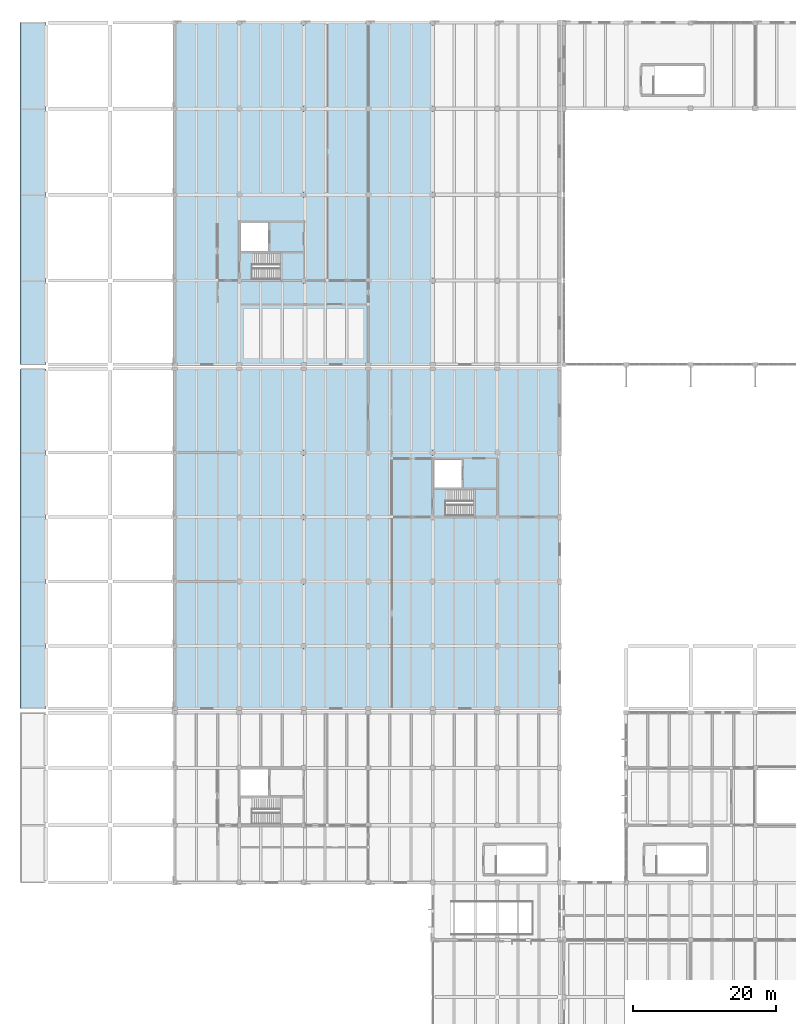
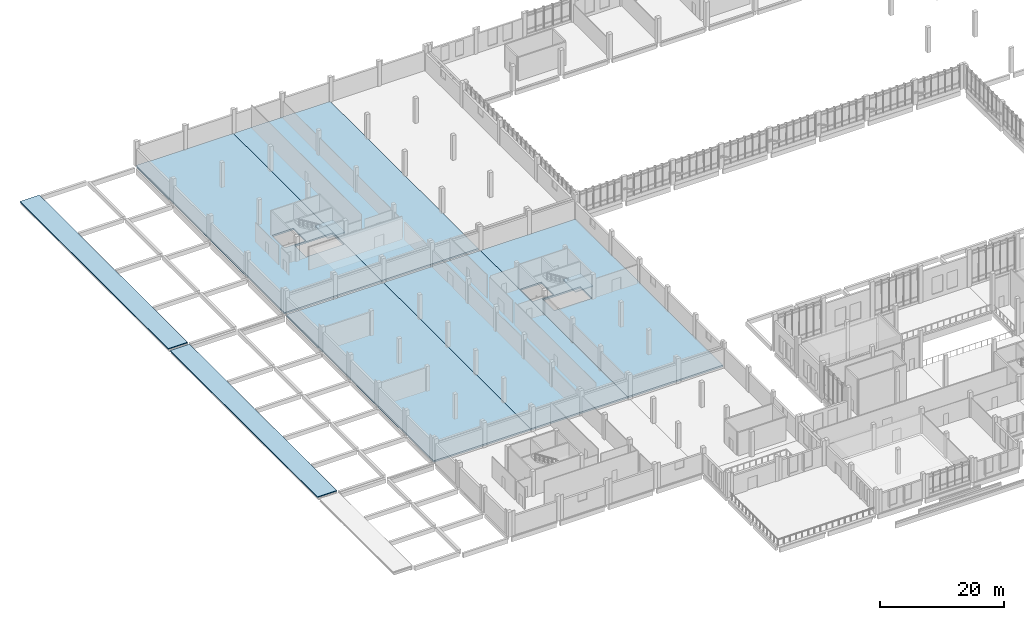
# One storey, part 58 of 110: 9 slabs, 2 elements without a shape of their own.
"""IFC4 building model written with IfcOpenShell, lengths in metres."""

import ifcopenshell
import ifcopenshell.guid

model = None  # the IFC model being written
_history = None  # IfcOwnerHistory: only IFC2X3 demands one
_inside = {}  # id of a spatial element -> (the spatial element, [elements in it])
_under = {}  # id of a project, library or spatial element -> (it, [spatial elements below it])
_declared = {}  # id of a project -> (the project, [libraries it declares])
_typed = {}  # id of a type object -> (the type object, [elements of that type])
_made_of = {}  # id of a material, layer set ... -> (it, [elements and type objects made of it])


def new_model(schema):
    """Start an empty IFC model of exactly this schema.

    Asked for "IFC4X3", IfcOpenShell would pick the latest addendum, in which some entities
    have other attributes; the version numbers below select the first issue.
    IFC2X3 requires an IfcOwnerHistory on every rooted entity: one is made here for all.
    """
    global model, _history
    if schema == "IFC4X3":
        model = ifcopenshell.file(schema_version=(4, 3, 0, 0))
    else:
        model = ifcopenshell.file(schema=schema)
    _inside.clear()
    _under.clear()
    _declared.clear()
    _typed.clear()
    _made_of.clear()
    _history = None
    if model.schema == "IFC2X3":
        org = make("IfcOrganization", Name="unknown")
        user = make(
            "IfcPersonAndOrganization",
            ThePerson=make("IfcPerson", FamilyName="unknown"),
            TheOrganization=org,
        )
        app = make(
            "IfcApplication",
            ApplicationDeveloper=org,
            Version="unknown",
            ApplicationFullName="unknown",
            ApplicationIdentifier="unknown",
        )
        _history = make(
            "IfcOwnerHistory",
            OwningUser=user,
            OwningApplication=app,
            ChangeAction="ADDED",
            CreationDate=0,
        )
    return model


def make(cls, **values):
    """One entity of the class cls with the attributes given. An attribute that is None is left unset."""
    return model.create_entity(
        cls, **{name: value for name, value in values.items() if value is not None}
    )


def rooted(cls, **values):
    """An entity with a GlobalId (a new one), such as an element, a storey or a relation."""
    return make(cls, GlobalId=ifcopenshell.guid.new(), OwnerHistory=_history, **values)


def si_unit(unit_type, name, prefix=None):
    """IfcSIUnit, for example si_unit("LENGTHUNIT", "METRE", prefix="MILLI")."""
    return make("IfcSIUnit", UnitType=unit_type, Prefix=prefix, Name=name)


def assignment(units):
    """IfcUnitAssignment: the units of a project."""
    return None if units is None else make("IfcUnitAssignment", Units=units)


def point(xyz):
    """IfcCartesianPoint."""
    return None if xyz is None else make("IfcCartesianPoint", Coordinates=xyz)


def direction(xyz):
    """IfcDirection."""
    return None if xyz is None else make("IfcDirection", DirectionRatios=xyz)


def frame(location, z_axis=None, x_axis=None):
    """IfcAxis2Placement3D, a coordinate frame: its origin and axes. An axis left out is left unset."""
    return make(
        "IfcAxis2Placement3D",
        Location=point(location),
        Axis=direction(z_axis),
        RefDirection=direction(x_axis),
    )


def origin():
    """The frame at (0, 0, 0) with its axes left unset."""
    return frame((0.0, 0.0, 0.0))


def place(relative_to, where):
    """IfcLocalPlacement: puts the frame where relative to a parent placement (None: the world)."""
    return make(
        "IfcLocalPlacement", PlacementRelTo=relative_to, RelativePlacement=where
    )


def context(
    kind, dimensions, precision=None, world=None, true_north=None, identifier=None
):
    """IfcGeometricRepresentationContext, for example the 3D "Model" context."""
    return make(
        "IfcGeometricRepresentationContext",
        ContextIdentifier=identifier,
        ContextType=kind,
        CoordinateSpaceDimension=dimensions,
        Precision=precision,
        WorldCoordinateSystem=world,
        TrueNorth=true_north,
    )


def subcontext(parent, identifier, kind, view, scale=None):
    """IfcGeometricRepresentationSubContext, for example "Body" below "Model"."""
    return make(
        "IfcGeometricRepresentationSubContext",
        ContextIdentifier=identifier,
        ContextType=kind,
        ParentContext=parent,
        TargetScale=scale,
        TargetView=view,
    )


def project(units=None, contexts=None):
    """IfcProject with its units and contexts."""
    return rooted(
        "IfcProject",
        Name="project",
        RepresentationContexts=contexts,
        UnitsInContext=assignment(units),
    )


def spatial(cls, under=None, at=None, **own):
    """A site, building, storey or space (cls), placed at a placement, below another one or the project."""
    s = rooted(cls, ObjectPlacement=at, **own)
    if under is not None:
        _under.setdefault(under.id(), (under, []))[1].append(s)
    return s


def polyline(points):
    """IfcPolyline through the points."""
    return make("IfcPolyline", Points=[point(p) for p in points])


def outline(outer, holes=None, kind="AREA"):
    """IfcArbitraryClosedProfileDef: a profile drawn as a closed curve; with holes, ...WithVoids."""
    if holes is None:
        return make("IfcArbitraryClosedProfileDef", ProfileType=kind, OuterCurve=outer)
    return make(
        "IfcArbitraryProfileDefWithVoids",
        ProfileType=kind,
        OuterCurve=outer,
        InnerCurves=holes,
    )


def extrude(swept, where, along, depth):
    """IfcExtrudedAreaSolid: the profile swept, set in the frame where, extruded along a direction by depth."""
    return make(
        "IfcExtrudedAreaSolid",
        SweptArea=swept,
        Position=where,
        ExtrudedDirection=direction(along),
        Depth=depth,
    )


def shape(context_of_items, identifier, shape_type, items):
    """IfcShapeRepresentation: the items that make up one representation, for example the "Body"."""
    return make(
        "IfcShapeRepresentation",
        ContextOfItems=context_of_items,
        RepresentationIdentifier=identifier,
        RepresentationType=shape_type,
        Items=items,
    )


def material(Name=None, Category=None):
    """IfcMaterial."""
    return make("IfcMaterial", Name=Name, Category=Category)


def layer(
    of_material, thickness, ventilated=None, Name=None, Category=None, Priority=None
):
    """IfcMaterialLayer: one layer of a wall or slab, of a material (None: an air gap)."""
    return make(
        "IfcMaterialLayer",
        Material=of_material,
        LayerThickness=thickness,
        IsVentilated=ventilated,
        Name=Name,
        Category=Category,
        Priority=Priority,
    )


def layer_set(layers, Name=None):
    """IfcMaterialLayerSet."""
    return make("IfcMaterialLayerSet", MaterialLayers=layers, LayerSetName=Name)


def made_of(thing, what):
    """Note that an element or type object is made of a material, layer set ...; save() writes the relation."""
    if what is not None:
        _made_of.setdefault(what.id(), (what, []))[1].append(thing)
    return thing


def type_object(cls, material=None, **own):
    """A type object (cls), such as IfcWallType, which elements share."""
    return made_of(rooted(cls, **own), material)


def element(
    cls,
    number,
    at=None,
    inside=None,
    cuts=None,
    type_object=None,
    material=None,
    context=None,
    identifier="Body",
    shape_type=None,
    held_by="IfcProductDefinitionShape",
    body=None,
    shapes=None,
    **own,
):
    """One element of the class cls, such as IfcWall. Its Tag is "e" and its number.

    at: its placement. inside: the storey or other place that contains it. cuts: it is an
    opening in that element (IfcRelVoidsElement). A single representation is given by context,
    identifier, shape_type and body (its items); several are given by shapes. held_by: the class
    of the entity that holds the representations. save() writes the other relations.
    """
    e = rooted(cls, Tag="e%d" % number, ObjectPlacement=at, **own)
    if body is not None:
        shapes = [shape(context, identifier, shape_type, body)]
    if shapes is not None:
        e.Representation = make(held_by, Representations=shapes)
    if inside is not None:
        _inside.setdefault(inside.id(), (inside, []))[1].append(e)
    if cuts is not None:
        rooted(
            "IfcRelVoidsElement", RelatingBuildingElement=cuts, RelatedOpeningElement=e
        )
    if type_object is not None:
        _typed.setdefault(type_object.id(), (type_object, []))[1].append(e)
    return made_of(e, material)


def aggregate(whole, parts):
    """IfcRelAggregates: a whole, such as a stair, and the parts it consists of."""
    return rooted("IfcRelAggregates", RelatingObject=whole, RelatedObjects=parts)


def save(model, path):
    """Write the relations noted so far, then the file.

    IfcRelAggregates (storeys below a building ...), IfcRelContainedInSpatialStructure (elements
    in a storey), IfcRelDefinesByType, IfcRelAssociatesMaterial and IfcRelDeclares: one each for
    every whole, place, type object, material and project.
    """
    for whole, parts in _under.values():
        aggregate(whole, parts)
    for where, things in _inside.values():
        rooted(
            "IfcRelContainedInSpatialStructure",
            RelatedElements=things,
            RelatingStructure=where,
        )
    for kind, things in _typed.values():
        rooted("IfcRelDefinesByType", RelatedObjects=things, RelatingType=kind)
    for what, things in _made_of.values():
        rooted("IfcRelAssociatesMaterial", RelatedObjects=things, RelatingMaterial=what)
    for by, libraries in _declared.values():
        rooted("IfcRelDeclares", RelatingContext=by, RelatedDefinitions=libraries)
    model.write(path)


model = new_model("IFC4")

# Units and contexts
model_context = context("Model", 3, precision=1e-05, world=origin(), true_north=direction((0.0, 1.0)))
body_context = subcontext(model_context, "Body", "Model", "MODEL_VIEW")
ifc_project = project(units=[si_unit("LENGTHUNIT", "METRE"), si_unit("AREAUNIT", "SQUARE_METRE"), si_unit("VOLUMEUNIT", "CUBIC_METRE"), si_unit("PLANEANGLEUNIT", "RADIAN"), si_unit("MASSUNIT", "GRAM", prefix="KILO")], contexts=[model_context])

# Site, building, storey
site_placement = place(None, origin())
site = spatial("IfcSite", under=ifc_project, at=site_placement, CompositionType="ELEMENT")
building_placement = place(site_placement, origin())
building = spatial("IfcBuilding", under=site, at=building_placement, Name="Zacnel Wholesale Market", CompositionType="ELEMENT")
storey_placement = place(building_placement, frame((0.0, 0.0, 6.300048828125)))
storey = spatial("IfcBuildingStorey", under=building, at=storey_placement, Name="L02", CompositionType="ELEMENT", Elevation=6.300048828125)

# Slabs
ifc_material_1 = material(Name="Precast concrete C45/55", Category="concrete")
ifc_layer_1 = layer(ifc_material_1, 0.320068359375)
ifc_layer_set_1 = layer_set([ifc_layer_1], Name="Precast concrete C45/55")
slab_type_1 = type_object("IfcSlabType", Name="SLB-FLR-320", PredefinedType="FLOOR", material=ifc_layer_set_1)
slab_1_placement = place(storey_placement, frame((0.0, 0.0, -0.320068359375)))
element("IfcSlab", 1, at=slab_1_placement, inside=storey, type_object=slab_type_1, Name="Structural slab SLB-L02-V3-M-P1", PredefinedType="FLOOR", context=body_context, shape_type="SweptSolid", body=[
    extrude(outline(polyline([(36.0, 95.699951171875), (36.0, 48.300048828125), (18.0, 48.300048828125), (18.0, 95.699951171875), (36.0, 95.699951171875)])), origin(), (0.0, 0.0, 1.0), 0.320068359375),
])
slab_2_placement = place(storey_placement, frame((0.0, 0.0, -0.320068359375)))
element("IfcSlab", 2, at=slab_2_placement, inside=storey, type_object=slab_type_1, Name="Structural slab SLB-L02-V3-M-P2", PredefinedType="FLOOR", context=body_context, shape_type="SweptSolid", body=[
    extrude(outline(polyline([(54.0, 95.699951171875), (54.0, 48.300048828125), (36.0, 48.300048828125), (36.0, 95.699951171875), (54.0, 95.699951171875)])), origin(), (0.0, 0.0, 1.0), 0.320068359375),
])
slab_3_placement = place(storey_placement, frame((0.0, 0.0, -0.320068359375)))
element("IfcSlab", 3, at=slab_3_placement, inside=storey, type_object=slab_type_1, Name="Structural slab SLB-L02-V3-M-P3", PredefinedType="FLOOR", context=body_context, shape_type="SweptSolid", body=[
    extrude(outline(polyline([(71.699951171875, 48.300048828125), (54.0, 48.300048828125), (54.0, 95.699951171875), (71.699951171875, 95.699951171875), (71.699951171875, 48.300048828125)]), holes=[polyline([(55.85009765625, 75.1298828125), (62.8701171875, 75.1298828125), (62.8701171875, 78.820068359375), (55.85009765625, 78.820068359375), (55.85009765625, 75.1298828125)]), polyline([(54.139892578125, 79.080078125), (58.070068359375, 79.080078125), (58.070068359375, 83.070068359375), (54.139892578125, 83.070068359375), (54.139892578125, 79.080078125)])]), origin(), (0.0, 0.0, 1.0), 0.320068359375),
])
slab_4_placement = place(storey_placement, frame((0.0, 0.0, -0.320068359375)))
element("IfcSlab", 4, at=slab_4_placement, inside=storey, type_object=slab_type_1, Name="Structural slab SLB-L02-V3-N-P1", PredefinedType="FLOOR", context=body_context, shape_type="SweptSolid", body=[
    extrude(outline(polyline([(36.0, 144.0), (36.0, 96.300048828125), (18.0, 96.300048828125), (18.0, 144.0), (36.0, 144.0)]), holes=[polyline([(28.85009765625, 108.1298828125), (35.860107421875, 108.1298828125), (35.860107421875, 111.820068359375), (28.85009765625, 111.820068359375), (28.85009765625, 108.1298828125)]), polyline([(27.1298828125, 112.080078125), (31.070068359375, 112.080078125), (31.070068359375, 116.070068359375), (27.1298828125, 116.070068359375), (27.1298828125, 112.080078125)])]), origin(), (0.0, 0.0, 1.0), 0.320068359375),
])
slab_5_placement = place(storey_placement, frame((0.0, 0.0, -0.320068359375)))
element("IfcSlab", 5, at=slab_5_placement, inside=storey, type_object=slab_type_1, Name="Structural slab SLB-L02-V3-N-P2", PredefinedType="FLOOR", context=body_context, shape_type="SweptSolid", body=[
    extrude(outline(polyline([(54.0, 144.0), (54.0, 96.300048828125), (36.0, 96.300048828125), (36.0, 144.0), (54.0, 144.0)])), origin(), (0.0, 0.0, 1.0), 0.320068359375),
])

# Stair, slab
ifc_material_2 = material(Name="Precast concrete C45/55", Category="concrete")
stair_type = type_object("IfcStairType", Name="STR-DOGLEG-1550", PredefinedType="HALF_TURN_STAIR", material=ifc_material_2)
stair_1_placement = place(storey_placement, origin())
stair_1 = element("IfcStair", 6, at=stair_1_placement, inside=storey, type_object=stair_type, Name="Stair ST-10 (L02)", PredefinedType="HALF_TURN_STAIR")
ifc_material_3 = material(Name="Precast concrete C45/55", Category="concrete")
ifc_layer_2 = layer(ifc_material_3, 0.199951171875)
ifc_layer_set_2 = layer_set([ifc_layer_2], Name="Precast concrete C45/55")
slab_type_2 = type_object("IfcSlabType", Name="SLB-LAND-200", PredefinedType="LANDING", material=ifc_layer_set_2)
slab_6_placement = place(storey_placement, frame((0.0, 0.0, 2.25)))
slab_6 = element("IfcSlab", 7, at=slab_6_placement, type_object=slab_type_2, Name="ST-10 landing 1", PredefinedType="LANDING", context=body_context, shape_type="SweptSolid", body=[
    extrude(outline(polyline([(59.7099609375, 74.989990234375), (63.010009765625, 74.989990234375), (63.010009765625, 78.9599609375), (59.7099609375, 78.9599609375), (59.7099609375, 74.989990234375)])), origin(), (0.0, 0.0, 1.0), 0.199951171875),
])
aggregate(stair_1, [slab_6])

stair_2_placement = place(storey_placement, origin())
stair_2 = element("IfcStair", 8, at=stair_2_placement, inside=storey, type_object=stair_type, Name="Stair ST-13 (L02)", PredefinedType="HALF_TURN_STAIR")
slab_7_placement = place(storey_placement, frame((0.0, 0.0, 2.25)))
slab_7 = element("IfcSlab", 9, at=slab_7_placement, type_object=slab_type_2, Name="ST-13 landing 1", PredefinedType="LANDING", context=body_context, shape_type="SweptSolid", body=[
    extrude(outline(polyline([(32.7099609375, 107.989990234375), (36.010009765625, 107.989990234375), (36.010009765625, 111.9599609375), (32.7099609375, 111.9599609375), (32.7099609375, 107.989990234375)])), origin(), (0.0, 0.0, 1.0), 0.199951171875),
])
aggregate(stair_2, [slab_7])

# Slabs
ifc_material_4 = material(Name="Precast concrete C45/55", Category="concrete")
ifc_layer_3 = layer(ifc_material_4, 0.179931640625)
ifc_layer_set_3 = layer_set([ifc_layer_3], Name="Precast concrete C45/55")
slab_type_3 = type_object("IfcSlabType", Name="SLB-ROOF-CAN-180", PredefinedType="ROOF", material=ifc_layer_set_3)
slab_8_placement = place(storey_placement, frame((0.0, 0.0, 0.320068359375)))
element("IfcSlab", 10, at=slab_8_placement, inside=storey, type_object=slab_type_3, Name="Storm canopy slab CAN-DOCK-M", PredefinedType="ROOF", context=body_context, shape_type="SweptSolid", body=[
    extrude(outline(polyline([(-3.60009765625, 48.300048828125), (0.0, 48.300048828125), (0.0, 95.699951171875), (-3.60009765625, 95.699951171875), (-3.60009765625, 48.300048828125)])), origin(), (0.0, 0.0, 1.0), 0.179931640625),
])
slab_9_placement = place(storey_placement, frame((0.0, 0.0, 0.320068359375)))
element("IfcSlab", 11, at=slab_9_placement, inside=storey, type_object=slab_type_3, Name="Storm canopy slab CAN-DOCK-N", PredefinedType="ROOF", context=body_context, shape_type="SweptSolid", body=[
    extrude(outline(polyline([(-3.60009765625, 96.300048828125), (0.0, 96.300048828125), (0.0, 144.0), (-3.60009765625, 144.0), (-3.60009765625, 96.300048828125)])), origin(), (0.0, 0.0, 1.0), 0.179931640625),
])

save(model, "model.ifc")
